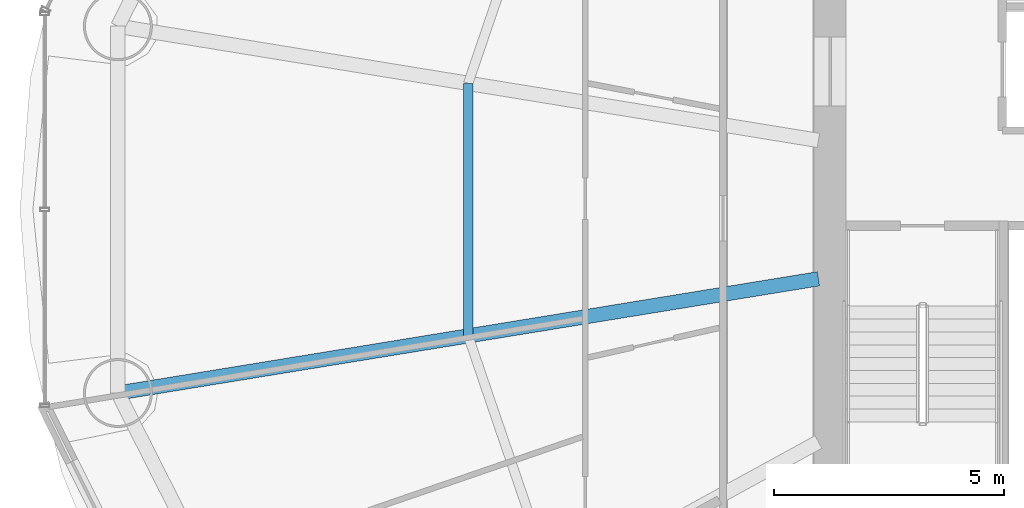
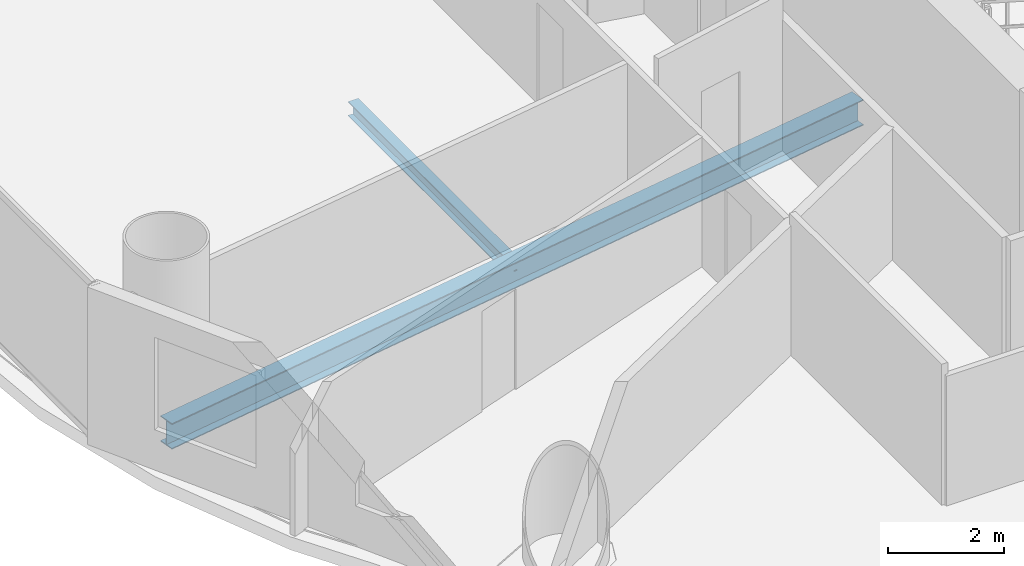
# One storey, part 8 of 29: 2 beams.
"""IFC4 building model written with IfcOpenShell, lengths in metres."""

import ifcopenshell
import ifcopenshell.guid

model = None  # the IFC model being written
_history = None  # IfcOwnerHistory: only IFC2X3 demands one
_inside = {}  # id of a spatial element -> (the spatial element, [elements in it])
_under = {}  # id of a project, library or spatial element -> (it, [spatial elements below it])
_declared = {}  # id of a project -> (the project, [libraries it declares])
_typed = {}  # id of a type object -> (the type object, [elements of that type])
_made_of = {}  # id of a material, layer set ... -> (it, [elements and type objects made of it])


def new_model(schema):
    """Start an empty IFC model of exactly this schema.

    Asked for "IFC4X3", IfcOpenShell would pick the latest addendum, in which some entities
    have other attributes; the version numbers below select the first issue.
    IFC2X3 requires an IfcOwnerHistory on every rooted entity: one is made here for all.
    """
    global model, _history
    if schema == "IFC4X3":
        model = ifcopenshell.file(schema_version=(4, 3, 0, 0))
    else:
        model = ifcopenshell.file(schema=schema)
    _inside.clear()
    _under.clear()
    _declared.clear()
    _typed.clear()
    _made_of.clear()
    _history = None
    if model.schema == "IFC2X3":
        org = make("IfcOrganization", Name="unknown")
        user = make(
            "IfcPersonAndOrganization",
            ThePerson=make("IfcPerson", FamilyName="unknown"),
            TheOrganization=org,
        )
        app = make(
            "IfcApplication",
            ApplicationDeveloper=org,
            Version="unknown",
            ApplicationFullName="unknown",
            ApplicationIdentifier="unknown",
        )
        _history = make(
            "IfcOwnerHistory",
            OwningUser=user,
            OwningApplication=app,
            ChangeAction="ADDED",
            CreationDate=0,
        )
    return model


def make(cls, **values):
    """One entity of the class cls with the attributes given. An attribute that is None is left unset."""
    return model.create_entity(
        cls, **{name: value for name, value in values.items() if value is not None}
    )


def rooted(cls, **values):
    """An entity with a GlobalId (a new one), such as an element, a storey or a relation."""
    return make(cls, GlobalId=ifcopenshell.guid.new(), OwnerHistory=_history, **values)


def si_unit(unit_type, name, prefix=None):
    """IfcSIUnit, for example si_unit("LENGTHUNIT", "METRE", prefix="MILLI")."""
    return make("IfcSIUnit", UnitType=unit_type, Prefix=prefix, Name=name)


def assignment(units):
    """IfcUnitAssignment: the units of a project."""
    return None if units is None else make("IfcUnitAssignment", Units=units)


def point(xyz):
    """IfcCartesianPoint."""
    return None if xyz is None else make("IfcCartesianPoint", Coordinates=xyz)


def direction(xyz):
    """IfcDirection."""
    return None if xyz is None else make("IfcDirection", DirectionRatios=xyz)


def frame(location, z_axis=None, x_axis=None):
    """IfcAxis2Placement3D, a coordinate frame: its origin and axes. An axis left out is left unset."""
    return make(
        "IfcAxis2Placement3D",
        Location=point(location),
        Axis=direction(z_axis),
        RefDirection=direction(x_axis),
    )


def frame_2d(location, x_axis=None):
    """IfcAxis2Placement2D, a coordinate frame in the plane: its origin and x axis."""
    return make(
        "IfcAxis2Placement2D", Location=point(location), RefDirection=direction(x_axis)
    )


def origin():
    """The frame at (0, 0, 0) with its axes left unset."""
    return frame((0.0, 0.0, 0.0))


def origin_2d():
    """The frame at (0, 0) in the plane with its x axis left unset."""
    return frame_2d((0.0, 0.0))


def place(relative_to, where):
    """IfcLocalPlacement: puts the frame where relative to a parent placement (None: the world)."""
    return make(
        "IfcLocalPlacement", PlacementRelTo=relative_to, RelativePlacement=where
    )


def context(
    kind, dimensions, precision=None, world=None, true_north=None, identifier=None
):
    """IfcGeometricRepresentationContext, for example the 3D "Model" context."""
    return make(
        "IfcGeometricRepresentationContext",
        ContextIdentifier=identifier,
        ContextType=kind,
        CoordinateSpaceDimension=dimensions,
        Precision=precision,
        WorldCoordinateSystem=world,
        TrueNorth=true_north,
    )


def subcontext(parent, identifier, kind, view, scale=None):
    """IfcGeometricRepresentationSubContext, for example "Body" below "Model"."""
    return make(
        "IfcGeometricRepresentationSubContext",
        ContextIdentifier=identifier,
        ContextType=kind,
        ParentContext=parent,
        TargetScale=scale,
        TargetView=view,
    )


def project(units=None, contexts=None):
    """IfcProject with its units and contexts."""
    return rooted(
        "IfcProject",
        Name="project",
        RepresentationContexts=contexts,
        UnitsInContext=assignment(units),
    )


def spatial(cls, under=None, at=None, **own):
    """A site, building, storey or space (cls), placed at a placement, below another one or the project."""
    s = rooted(cls, ObjectPlacement=at, **own)
    if under is not None:
        _under.setdefault(under.id(), (under, []))[1].append(s)
    return s


def profile(cls, at=None, kind="AREA", **sizes):
    """A parametric profile (cls). Its sizes go by their IFC names, for example OverallWidth=200.0."""
    return make(cls, ProfileType=kind, Position=at, **sizes)


def i_section(**sizes):
    """IfcIShapeProfileDef."""
    return profile("IfcIShapeProfileDef", **sizes)


def extrude(swept, where, along, depth):
    """IfcExtrudedAreaSolid: the profile swept, set in the frame where, extruded along a direction by depth."""
    return make(
        "IfcExtrudedAreaSolid",
        SweptArea=swept,
        Position=where,
        ExtrudedDirection=direction(along),
        Depth=depth,
    )


def shape(context_of_items, identifier, shape_type, items):
    """IfcShapeRepresentation: the items that make up one representation, for example the "Body"."""
    return make(
        "IfcShapeRepresentation",
        ContextOfItems=context_of_items,
        RepresentationIdentifier=identifier,
        RepresentationType=shape_type,
        Items=items,
    )


def material(Name=None, Category=None):
    """IfcMaterial."""
    return make("IfcMaterial", Name=Name, Category=Category)


def material_profile(
    of_material, cross_section, Name=None, Category=None, Priority=None
):
    """IfcMaterialProfile: a cross section and its material."""
    return make(
        "IfcMaterialProfile",
        Name=Name,
        Material=of_material,
        Profile=cross_section,
        Priority=Priority,
        Category=Category,
    )


def profile_set(profiles, Name=None, composite=None):
    """IfcMaterialProfileSet."""
    return make(
        "IfcMaterialProfileSet",
        Name=Name,
        MaterialProfiles=profiles,
        CompositeProfile=composite,
    )


def made_of(thing, what):
    """Note that an element or type object is made of a material, layer set ...; save() writes the relation."""
    if what is not None:
        _made_of.setdefault(what.id(), (what, []))[1].append(thing)
    return thing


def type_object(cls, material=None, **own):
    """A type object (cls), such as IfcWallType, which elements share."""
    return made_of(rooted(cls, **own), material)


def element(
    cls,
    number,
    at=None,
    inside=None,
    cuts=None,
    type_object=None,
    material=None,
    context=None,
    identifier="Body",
    shape_type=None,
    held_by="IfcProductDefinitionShape",
    body=None,
    shapes=None,
    **own,
):
    """One element of the class cls, such as IfcWall. Its Tag is "e" and its number.

    at: its placement. inside: the storey or other place that contains it. cuts: it is an
    opening in that element (IfcRelVoidsElement). A single representation is given by context,
    identifier, shape_type and body (its items); several are given by shapes. held_by: the class
    of the entity that holds the representations. save() writes the other relations.
    """
    e = rooted(cls, Tag="e%d" % number, ObjectPlacement=at, **own)
    if body is not None:
        shapes = [shape(context, identifier, shape_type, body)]
    if shapes is not None:
        e.Representation = make(held_by, Representations=shapes)
    if inside is not None:
        _inside.setdefault(inside.id(), (inside, []))[1].append(e)
    if cuts is not None:
        rooted(
            "IfcRelVoidsElement", RelatingBuildingElement=cuts, RelatedOpeningElement=e
        )
    if type_object is not None:
        _typed.setdefault(type_object.id(), (type_object, []))[1].append(e)
    return made_of(e, material)


def aggregate(whole, parts):
    """IfcRelAggregates: a whole, such as a stair, and the parts it consists of."""
    return rooted("IfcRelAggregates", RelatingObject=whole, RelatedObjects=parts)


def save(model, path):
    """Write the relations noted so far, then the file.

    IfcRelAggregates (storeys below a building ...), IfcRelContainedInSpatialStructure (elements
    in a storey), IfcRelDefinesByType, IfcRelAssociatesMaterial and IfcRelDeclares: one each for
    every whole, place, type object, material and project.
    """
    for whole, parts in _under.values():
        aggregate(whole, parts)
    for where, things in _inside.values():
        rooted(
            "IfcRelContainedInSpatialStructure",
            RelatedElements=things,
            RelatingStructure=where,
        )
    for kind, things in _typed.values():
        rooted("IfcRelDefinesByType", RelatedObjects=things, RelatingType=kind)
    for what, things in _made_of.values():
        rooted("IfcRelAssociatesMaterial", RelatedObjects=things, RelatingMaterial=what)
    for by, libraries in _declared.values():
        rooted("IfcRelDeclares", RelatingContext=by, RelatedDefinitions=libraries)
    model.write(path)


model = new_model("IFC4")

# Units and contexts
model_context = context("Model", 3, precision=1e-05, world=origin(), true_north=direction((-0.2419218956, 0.970295726276)))
body_context = subcontext(model_context, "Body", "Model", "MODEL_VIEW")
ifc_project = project(units=[si_unit("LENGTHUNIT", "METRE"), si_unit("AREAUNIT", "SQUARE_METRE"), si_unit("VOLUMEUNIT", "CUBIC_METRE"), si_unit("PLANEANGLEUNIT", "RADIAN"), si_unit("MASSUNIT", "GRAM", prefix="KILO")], contexts=[model_context])

# Site, building, storey
site_placement = place(None, origin())
site = spatial("IfcSite", under=ifc_project, at=site_placement, CompositionType="ELEMENT")
building_placement = place(site_placement, origin())
building = spatial("IfcBuilding", under=site, at=building_placement, Name="Cobrevalo Terracotta Tower", CompositionType="ELEMENT")
storey_placement = place(building_placement, frame((0.0, 0.0, 123.0)))
storey = spatial("IfcBuildingStorey", under=building, at=storey_placement, Name="L32", CompositionType="ELEMENT", Elevation=123.0)

# Beams
ifc_material = material(Name="Steel S355", Category="steel")
ifc_material_profile_1 = material_profile(ifc_material, i_section(OverallWidth=0.31201171875, OverallDepth=0.54296875, WebThickness=0.0126953125, FlangeThickness=0.020263671875, at=origin_2d()), Name="W 530x150")
ifc_profile_set_1 = profile_set([ifc_material_profile_1], Name="Steel S355")
beam_type_1 = type_object("IfcBeamType", Name="Structural Beam W 530x150 (Steel S355)", PredefinedType="BEAM", material=ifc_profile_set_1)
beam_1_placement = place(storey_placement, frame((13.529296875, 22.810302734375, -0.54638671875), z_axis=(0.986968056587, 0.160916298977, 0.0), x_axis=(-0.160916298977, 0.986968056587, 0.0)))
element("IfcBeam", 1, at=beam_1_placement, inside=storey, type_object=beam_type_1, Name="L32 radial floor girder 09", PredefinedType="BEAM", context=body_context, shape_type="SweptSolid", body=[
    extrude(i_section(OverallWidth=0.31201171875, OverallDepth=0.54296875, WebThickness=0.0126953125, FlangeThickness=0.020263671875, at=origin_2d()), origin(), (0.0, 0.0, 1.0), 15.44189453125),
])
ifc_material_profile_2 = material_profile(ifc_material, i_section(OverallWidth=0.2041015625, OverallDepth=0.305908203125, WebThickness=0.008544921875, FlangeThickness=0.0146484375, at=origin_2d()), Name="W 310x67")
ifc_profile_set_2 = profile_set([ifc_material_profile_2], Name="Steel S355")
beam_type_2 = type_object("IfcBeamType", Name="Structural Joist W 310x67 (Steel S355)", PredefinedType="JOIST", material=ifc_profile_set_2)
beam_2_placement = place(storey_placement, frame((21.149658203125, 29.547119140625, -0.427978515625), z_axis=(0.0, -1.0, 0.0), x_axis=(1.0, 0.0, 0.0)))
element("IfcBeam", 2, at=beam_2_placement, inside=storey, type_object=beam_type_2, Name="L32 circumferential secondary floor joist 08", PredefinedType="JOIST", context=body_context, shape_type="SweptSolid", body=[
    extrude(i_section(OverallWidth=0.2041015625, OverallDepth=0.305908203125, WebThickness=0.008544921875, FlangeThickness=0.0146484375, at=origin_2d()), origin(), (0.0, 0.0, 1.0), 5.494384765625),
])

save(model, "model.ifc")
